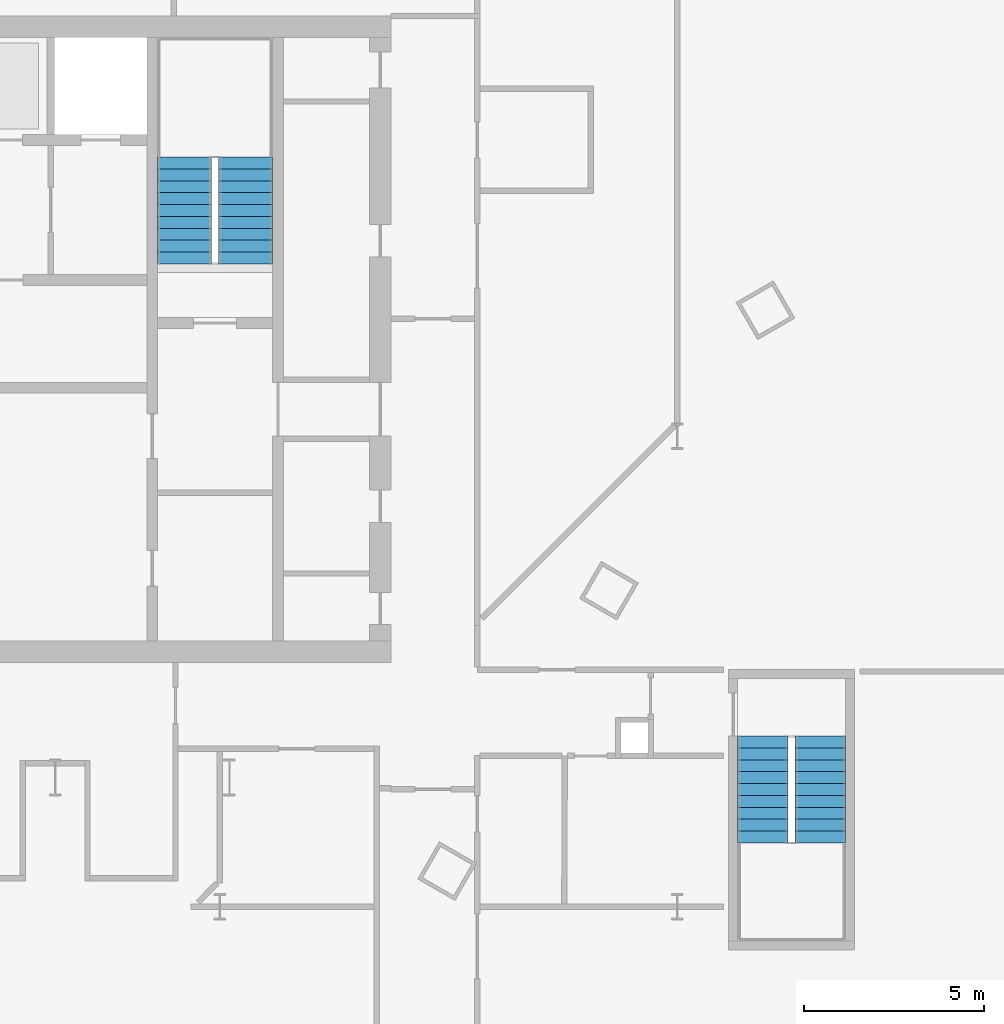
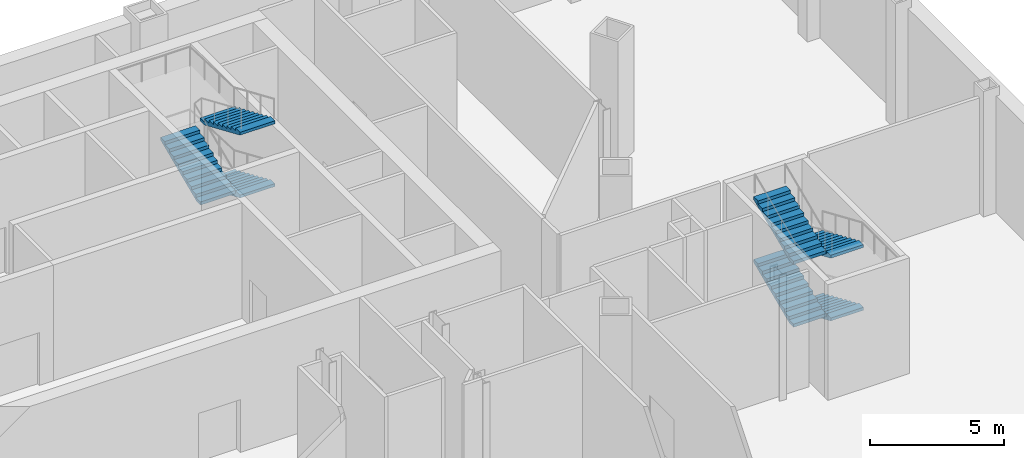
# One storey, part 15 of 18: 7 stair flights, 2 elements without a shape of their own.
"""IFC4 building model written with IfcOpenShell, lengths in metres."""

from ifc_helpers import new_model, si_unit, direction, frame, origin, place, context, subcontext, project, spatial, polygons, material, type_object, element, aggregate, save


model = new_model("IFC4")

# Units and contexts
model_context = context("Model", 3, precision=1e-05, world=origin(), true_north=direction((0.0, 1.0)))
body_context = subcontext(model_context, "Body", "Model", "MODEL_VIEW")
ifc_project = project(units=[si_unit("LENGTHUNIT", "METRE"), si_unit("AREAUNIT", "SQUARE_METRE"), si_unit("VOLUMEUNIT", "CUBIC_METRE"), si_unit("PLANEANGLEUNIT", "RADIAN"), si_unit("MASSUNIT", "GRAM", prefix="KILO")], contexts=[model_context])

# Site, building, storey
site_placement = place(None, origin())
site = spatial("IfcSite", under=ifc_project, at=site_placement, CompositionType="ELEMENT")
building_placement = place(site_placement, origin())
building = spatial("IfcBuilding", under=site, at=building_placement, Name="Njiva Tower", CompositionType="ELEMENT")
storey_placement = place(building_placement, frame((0.0, 0.0, -5.7)))
storey = spatial("IfcBuildingStorey", under=building, at=storey_placement, Name="B1", CompositionType="ELEMENT", Elevation=-5.7)

# Stair, stair flights
ifc_material = material(Name="Concrete C40/50", Category="concrete")
stair_type_1 = type_object("IfcStairType", Name="ST2 Exit stair 1400", PredefinedType="HALF_TURN_STAIR", material=ifc_material)
stair_1_placement = place(storey_placement, origin())
stair_1 = element("IfcStair", 1, at=stair_1_placement, inside=storey, type_object=stair_type_1, Name="Stair G basement", PredefinedType="DOUBLE_RETURN_STAIR")
stair_flight_type_1 = type_object("IfcStairFlightType", Name="FL2 Stair flight 1400", PredefinedType="STRAIGHT", material=ifc_material)
stair_flight_1_placement = place(storey_placement, frame((29.45, -2.05, 0.0), z_axis=(0.0, 0.0, 1.0), x_axis=(0.0, -1.0, 0.0)))
stair_flight_1 = element("IfcStairFlight", 2, at=stair_flight_1_placement, type_object=stair_flight_type_1, Name="ST-GB flight 1", NumberOfRisers=10, NumberOfTreads=9, PredefinedType="STRAIGHT", RiserHeight=0.1425, TreadLength=0.33, context=body_context, shape_type="Tessellation", body=[
    polygons([(0.0, 0.7, 0.0), (0.0, 0.35, 0.0), (0.0, 0.0, 0.0), (0.0, -0.35, 0.0), (0.0, -0.7, 0.0), (0.0, 0.7, 0.1425), (0.0, 0.35, 0.1425), (0.0, 0.0, 0.1425), (0.0, -0.35, 0.1425), (0.0, -0.7, 0.1425), (0.33, 0.7, 0.1425), (0.33, 0.35, 0.1425), (0.33, 0.0, 0.1425), (0.33, -0.35, 0.1425), (0.33, -0.7, 0.1425), (0.33, 0.7, 0.285), (0.33, 0.35, 0.285), (0.33, 0.0, 0.285), (0.33, -0.35, 0.285), (0.33, -0.7, 0.285), (0.66, 0.7, 0.285), (0.66, 0.35, 0.285), (0.66, 0.0, 0.285), (0.66, -0.35, 0.285), (0.66, -0.7, 0.285), (0.66, 0.7, 0.4275), (0.66, 0.35, 0.4275), (0.66, 0.0, 0.4275), (0.66, -0.35, 0.4275), (0.66, -0.7, 0.4275), (0.99, 0.7, 0.4275), (0.99, 0.35, 0.4275), (0.99, 0.0, 0.4275), (0.99, -0.35, 0.4275), (0.99, -0.7, 0.4275), (0.99, 0.7, 0.57), (0.99, 0.35, 0.57), (0.99, 0.0, 0.57), (0.99, -0.35, 0.57), (0.99, -0.7, 0.57), (1.32, 0.7, 0.57), (1.32, 0.35, 0.57), (1.32, 0.0, 0.57), (1.32, -0.35, 0.57), (1.32, -0.7, 0.57), (1.32, 0.7, 0.7125), (1.32, 0.35, 0.7125), (1.32, 0.0, 0.7125), (1.32, -0.35, 0.7125), (1.32, -0.7, 0.7125), (1.65, 0.7, 0.7125), (1.65, 0.35, 0.7125), (1.65, 0.0, 0.7125), (1.65, -0.35, 0.7125), (1.65, -0.7, 0.7125), (1.65, 0.7, 0.855), (1.65, 0.35, 0.855), (1.65, 0.0, 0.855), (1.65, -0.35, 0.855), (1.65, -0.7, 0.855), (1.98, 0.7, 0.855), (1.98, 0.35, 0.855), (1.98, 0.0, 0.855), (1.98, -0.35, 0.855), (1.98, -0.7, 0.855), (1.98, 0.7, 0.9975), (1.98, 0.35, 0.9975), (1.98, 0.0, 0.9975), (1.98, -0.35, 0.9975), (1.98, -0.7, 0.9975), (2.31, 0.7, 0.9975), (2.31, 0.35, 0.9975), (2.31, 0.0, 0.9975), (2.31, -0.35, 0.9975), (2.31, -0.7, 0.9975), (2.31, 0.7, 1.14), (2.31, 0.35, 1.14), (2.31, 0.0, 1.14), (2.31, -0.35, 1.14), (2.31, -0.7, 1.14), (2.64, 0.7, 1.14), (2.64, 0.35, 1.14), (2.64, 0.0, 1.14), (2.64, -0.35, 1.14), (2.64, -0.7, 1.14), (2.64, 0.7, 1.2825), (2.64, 0.35, 1.2825), (2.64, 0.0, 1.2825), (2.64, -0.35, 1.2825), (2.64, -0.7, 1.2825), (2.97, 0.7, 1.2825), (2.97, 0.35, 1.2825), (2.97, 0.0, 1.2825), (2.97, -0.35, 1.2825), (2.97, -0.7, 1.2825), (2.97, 0.7, 1.1518), (2.97, 0.35, 1.1518), (2.97, 0.0, 1.1518), (2.97, -0.35, 1.1518), (2.97, -0.7, 1.1518), (0.3027, 0.7, 0.0), (0.3027, 0.35, 0.0), (0.3027, 0.0, 0.0), (0.3027, -0.35, 0.0), (0.3027, -0.7, 0.0)], [[[1, 6, 11, 16, 21, 26, 31, 36, 41, 46, 51, 56, 61, 66, 71, 76, 81, 86, 91, 96, 101]], [[105, 100, 95, 90, 85, 80, 75, 70, 65, 60, 55, 50, 45, 40, 35, 30, 25, 20, 15, 10, 5]], [[6, 1, 2, 7]], [[7, 2, 3, 8]], [[8, 3, 4, 9]], [[9, 4, 5, 10]], [[11, 6, 7, 12]], [[12, 7, 8, 13]], [[13, 8, 9, 14]], [[14, 9, 10, 15]], [[16, 11, 12, 17]], [[17, 12, 13, 18]], [[18, 13, 14, 19]], [[19, 14, 15, 20]], [[21, 16, 17, 22]], [[22, 17, 18, 23]], [[23, 18, 19, 24]], [[24, 19, 20, 25]], [[26, 21, 22, 27]], [[27, 22, 23, 28]], [[28, 23, 24, 29]], [[29, 24, 25, 30]], [[31, 26, 27, 32]], [[32, 27, 28, 33]], [[33, 28, 29, 34]], [[34, 29, 30, 35]], [[36, 31, 32, 37]], [[37, 32, 33, 38]], [[38, 33, 34, 39]], [[39, 34, 35, 40]], [[41, 36, 37, 42]], [[42, 37, 38, 43]], [[43, 38, 39, 44]], [[44, 39, 40, 45]], [[46, 41, 42, 47]], [[47, 42, 43, 48]], [[48, 43, 44, 49]], [[49, 44, 45, 50]], [[51, 46, 47, 52]], [[52, 47, 48, 53]], [[53, 48, 49, 54]], [[54, 49, 50, 55]], [[56, 51, 52, 57]], [[57, 52, 53, 58]], [[58, 53, 54, 59]], [[59, 54, 55, 60]], [[61, 56, 57, 62]], [[62, 57, 58, 63]], [[63, 58, 59, 64]], [[64, 59, 60, 65]], [[66, 61, 62, 67]], [[67, 62, 63, 68]], [[68, 63, 64, 69]], [[69, 64, 65, 70]], [[71, 66, 67, 72]], [[72, 67, 68, 73]], [[73, 68, 69, 74]], [[74, 69, 70, 75]], [[76, 71, 72, 77]], [[77, 72, 73, 78]], [[78, 73, 74, 79]], [[79, 74, 75, 80]], [[81, 76, 77, 82]], [[82, 77, 78, 83]], [[83, 78, 79, 84]], [[84, 79, 80, 85]], [[86, 81, 82, 87]], [[87, 82, 83, 88]], [[88, 83, 84, 89]], [[89, 84, 85, 90]], [[91, 86, 87, 92]], [[92, 87, 88, 93]], [[93, 88, 89, 94]], [[94, 89, 90, 95]], [[96, 91, 92, 97]], [[97, 92, 93, 98]], [[98, 93, 94, 99]], [[99, 94, 95, 100]], [[101, 96, 97, 102]], [[102, 97, 98, 103]], [[103, 98, 99, 104]], [[104, 99, 100, 105]], [[1, 101, 102, 2]], [[2, 102, 103, 3]], [[3, 103, 104, 4]], [[4, 104, 105, 5]]], closed=True),
])
stair_flight_2_placement = place(storey_placement, frame((27.85, -5.02, 1.425), z_axis=(0.0, 0.0, 1.0), x_axis=(0.0, 1.0, 0.0)))
stair_flight_2 = element("IfcStairFlight", 3, at=stair_flight_2_placement, type_object=stair_flight_type_1, Name="ST-GB flight 2", NumberOfRisers=10, NumberOfTreads=9, PredefinedType="STRAIGHT", RiserHeight=0.1425, TreadLength=0.33, context=body_context, shape_type="Tessellation", body=[
    polygons([(0.0, 0.7, 0.0), (0.0, 0.35, 0.0), (0.0, 0.0, 0.0), (0.0, -0.35, 0.0), (0.0, -0.7, 0.0), (0.0, 0.7, 0.1425), (0.0, 0.35, 0.1425), (0.0, 0.0, 0.1425), (0.0, -0.35, 0.1425), (0.0, -0.7, 0.1425), (0.33, 0.7, 0.1425), (0.33, 0.35, 0.1425), (0.33, 0.0, 0.1425), (0.33, -0.35, 0.1425), (0.33, -0.7, 0.1425), (0.33, 0.7, 0.285), (0.33, 0.35, 0.285), (0.33, 0.0, 0.285), (0.33, -0.35, 0.285), (0.33, -0.7, 0.285), (0.66, 0.7, 0.285), (0.66, 0.35, 0.285), (0.66, 0.0, 0.285), (0.66, -0.35, 0.285), (0.66, -0.7, 0.285), (0.66, 0.7, 0.4275), (0.66, 0.35, 0.4275), (0.66, 0.0, 0.4275), (0.66, -0.35, 0.4275), (0.66, -0.7, 0.4275), (0.99, 0.7, 0.4275), (0.99, 0.35, 0.4275), (0.99, 0.0, 0.4275), (0.99, -0.35, 0.4275), (0.99, -0.7, 0.4275), (0.99, 0.7, 0.57), (0.99, 0.35, 0.57), (0.99, 0.0, 0.57), (0.99, -0.35, 0.57), (0.99, -0.7, 0.57), (1.32, 0.7, 0.57), (1.32, 0.35, 0.57), (1.32, 0.0, 0.57), (1.32, -0.35, 0.57), (1.32, -0.7, 0.57), (1.32, 0.7, 0.7125), (1.32, 0.35, 0.7125), (1.32, 0.0, 0.7125), (1.32, -0.35, 0.7125), (1.32, -0.7, 0.7125), (1.65, 0.7, 0.7125), (1.65, 0.35, 0.7125), (1.65, 0.0, 0.7125), (1.65, -0.35, 0.7125), (1.65, -0.7, 0.7125), (1.65, 0.7, 0.855), (1.65, 0.35, 0.855), (1.65, 0.0, 0.855), (1.65, -0.35, 0.855), (1.65, -0.7, 0.855), (1.98, 0.7, 0.855), (1.98, 0.35, 0.855), (1.98, 0.0, 0.855), (1.98, -0.35, 0.855), (1.98, -0.7, 0.855), (1.98, 0.7, 0.9975), (1.98, 0.35, 0.9975), (1.98, 0.0, 0.9975), (1.98, -0.35, 0.9975), (1.98, -0.7, 0.9975), (2.31, 0.7, 0.9975), (2.31, 0.35, 0.9975), (2.31, 0.0, 0.9975), (2.31, -0.35, 0.9975), (2.31, -0.7, 0.9975), (2.31, 0.7, 1.14), (2.31, 0.35, 1.14), (2.31, 0.0, 1.14), (2.31, -0.35, 1.14), (2.31, -0.7, 1.14), (2.64, 0.7, 1.14), (2.64, 0.35, 1.14), (2.64, 0.0, 1.14), (2.64, -0.35, 1.14), (2.64, -0.7, 1.14), (2.64, 0.7, 1.2825), (2.64, 0.35, 1.2825), (2.64, 0.0, 1.2825), (2.64, -0.35, 1.2825), (2.64, -0.7, 1.2825), (2.97, 0.7, 1.2825), (2.97, 0.35, 1.2825), (2.97, 0.0, 1.2825), (2.97, -0.35, 1.2825), (2.97, -0.7, 1.2825), (2.97, 0.7, 1.1518), (2.97, 0.35, 1.1518), (2.97, 0.0, 1.1518), (2.97, -0.35, 1.1518), (2.97, -0.7, 1.1518), (0.3027, 0.7, 0.0), (0.3027, 0.35, 0.0), (0.3027, 0.0, 0.0), (0.3027, -0.35, 0.0), (0.3027, -0.7, 0.0)], [[[1, 6, 11, 16, 21, 26, 31, 36, 41, 46, 51, 56, 61, 66, 71, 76, 81, 86, 91, 96, 101]], [[105, 100, 95, 90, 85, 80, 75, 70, 65, 60, 55, 50, 45, 40, 35, 30, 25, 20, 15, 10, 5]], [[6, 1, 2, 7]], [[7, 2, 3, 8]], [[8, 3, 4, 9]], [[9, 4, 5, 10]], [[11, 6, 7, 12]], [[12, 7, 8, 13]], [[13, 8, 9, 14]], [[14, 9, 10, 15]], [[16, 11, 12, 17]], [[17, 12, 13, 18]], [[18, 13, 14, 19]], [[19, 14, 15, 20]], [[21, 16, 17, 22]], [[22, 17, 18, 23]], [[23, 18, 19, 24]], [[24, 19, 20, 25]], [[26, 21, 22, 27]], [[27, 22, 23, 28]], [[28, 23, 24, 29]], [[29, 24, 25, 30]], [[31, 26, 27, 32]], [[32, 27, 28, 33]], [[33, 28, 29, 34]], [[34, 29, 30, 35]], [[36, 31, 32, 37]], [[37, 32, 33, 38]], [[38, 33, 34, 39]], [[39, 34, 35, 40]], [[41, 36, 37, 42]], [[42, 37, 38, 43]], [[43, 38, 39, 44]], [[44, 39, 40, 45]], [[46, 41, 42, 47]], [[47, 42, 43, 48]], [[48, 43, 44, 49]], [[49, 44, 45, 50]], [[51, 46, 47, 52]], [[52, 47, 48, 53]], [[53, 48, 49, 54]], [[54, 49, 50, 55]], [[56, 51, 52, 57]], [[57, 52, 53, 58]], [[58, 53, 54, 59]], [[59, 54, 55, 60]], [[61, 56, 57, 62]], [[62, 57, 58, 63]], [[63, 58, 59, 64]], [[64, 59, 60, 65]], [[66, 61, 62, 67]], [[67, 62, 63, 68]], [[68, 63, 64, 69]], [[69, 64, 65, 70]], [[71, 66, 67, 72]], [[72, 67, 68, 73]], [[73, 68, 69, 74]], [[74, 69, 70, 75]], [[76, 71, 72, 77]], [[77, 72, 73, 78]], [[78, 73, 74, 79]], [[79, 74, 75, 80]], [[81, 76, 77, 82]], [[82, 77, 78, 83]], [[83, 78, 79, 84]], [[84, 79, 80, 85]], [[86, 81, 82, 87]], [[87, 82, 83, 88]], [[88, 83, 84, 89]], [[89, 84, 85, 90]], [[91, 86, 87, 92]], [[92, 87, 88, 93]], [[93, 88, 89, 94]], [[94, 89, 90, 95]], [[96, 91, 92, 97]], [[97, 92, 93, 98]], [[98, 93, 94, 99]], [[99, 94, 95, 100]], [[101, 96, 97, 102]], [[102, 97, 98, 103]], [[103, 98, 99, 104]], [[104, 99, 100, 105]], [[1, 101, 102, 2]], [[2, 102, 103, 3]], [[3, 103, 104, 4]], [[4, 104, 105, 5]]], closed=True),
])
stair_flight_3_placement = place(storey_placement, frame((29.45, -2.05, 2.85), z_axis=(0.0, 0.0, 1.0), x_axis=(0.0, -1.0, 0.0)))
stair_flight_3 = element("IfcStairFlight", 4, at=stair_flight_3_placement, type_object=stair_flight_type_1, Name="ST-GB flight 3", NumberOfRisers=10, NumberOfTreads=9, PredefinedType="STRAIGHT", RiserHeight=0.1425, TreadLength=0.33, context=body_context, shape_type="Tessellation", body=[
    polygons([(0.0, 0.7, 0.0), (0.0, 0.35, 0.0), (0.0, 0.0, 0.0), (0.0, -0.35, 0.0), (0.0, -0.7, 0.0), (0.0, 0.7, 0.1425), (0.0, 0.35, 0.1425), (0.0, 0.0, 0.1425), (0.0, -0.35, 0.1425), (0.0, -0.7, 0.1425), (0.33, 0.7, 0.1425), (0.33, 0.35, 0.1425), (0.33, 0.0, 0.1425), (0.33, -0.35, 0.1425), (0.33, -0.7, 0.1425), (0.33, 0.7, 0.285), (0.33, 0.35, 0.285), (0.33, 0.0, 0.285), (0.33, -0.35, 0.285), (0.33, -0.7, 0.285), (0.66, 0.7, 0.285), (0.66, 0.35, 0.285), (0.66, 0.0, 0.285), (0.66, -0.35, 0.285), (0.66, -0.7, 0.285), (0.66, 0.7, 0.4275), (0.66, 0.35, 0.4275), (0.66, 0.0, 0.4275), (0.66, -0.35, 0.4275), (0.66, -0.7, 0.4275), (0.99, 0.7, 0.4275), (0.99, 0.35, 0.4275), (0.99, 0.0, 0.4275), (0.99, -0.35, 0.4275), (0.99, -0.7, 0.4275), (0.99, 0.7, 0.57), (0.99, 0.35, 0.57), (0.99, 0.0, 0.57), (0.99, -0.35, 0.57), (0.99, -0.7, 0.57), (1.32, 0.7, 0.57), (1.32, 0.35, 0.57), (1.32, 0.0, 0.57), (1.32, -0.35, 0.57), (1.32, -0.7, 0.57), (1.32, 0.7, 0.7125), (1.32, 0.35, 0.7125), (1.32, 0.0, 0.7125), (1.32, -0.35, 0.7125), (1.32, -0.7, 0.7125), (1.65, 0.7, 0.7125), (1.65, 0.35, 0.7125), (1.65, 0.0, 0.7125), (1.65, -0.35, 0.7125), (1.65, -0.7, 0.7125), (1.65, 0.7, 0.855), (1.65, 0.35, 0.855), (1.65, 0.0, 0.855), (1.65, -0.35, 0.855), (1.65, -0.7, 0.855), (1.98, 0.7, 0.855), (1.98, 0.35, 0.855), (1.98, 0.0, 0.855), (1.98, -0.35, 0.855), (1.98, -0.7, 0.855), (1.98, 0.7, 0.9975), (1.98, 0.35, 0.9975), (1.98, 0.0, 0.9975), (1.98, -0.35, 0.9975), (1.98, -0.7, 0.9975), (2.31, 0.7, 0.9975), (2.31, 0.35, 0.9975), (2.31, 0.0, 0.9975), (2.31, -0.35, 0.9975), (2.31, -0.7, 0.9975), (2.31, 0.7, 1.14), (2.31, 0.35, 1.14), (2.31, 0.0, 1.14), (2.31, -0.35, 1.14), (2.31, -0.7, 1.14), (2.64, 0.7, 1.14), (2.64, 0.35, 1.14), (2.64, 0.0, 1.14), (2.64, -0.35, 1.14), (2.64, -0.7, 1.14), (2.64, 0.7, 1.2825), (2.64, 0.35, 1.2825), (2.64, 0.0, 1.2825), (2.64, -0.35, 1.2825), (2.64, -0.7, 1.2825), (2.97, 0.7, 1.2825), (2.97, 0.35, 1.2825), (2.97, 0.0, 1.2825), (2.97, -0.35, 1.2825), (2.97, -0.7, 1.2825), (2.97, 0.7, 1.1518), (2.97, 0.35, 1.1518), (2.97, 0.0, 1.1518), (2.97, -0.35, 1.1518), (2.97, -0.7, 1.1518), (0.3027, 0.7, 0.0), (0.3027, 0.35, 0.0), (0.3027, 0.0, 0.0), (0.3027, -0.35, 0.0), (0.3027, -0.7, 0.0)], [[[1, 6, 11, 16, 21, 26, 31, 36, 41, 46, 51, 56, 61, 66, 71, 76, 81, 86, 91, 96, 101]], [[105, 100, 95, 90, 85, 80, 75, 70, 65, 60, 55, 50, 45, 40, 35, 30, 25, 20, 15, 10, 5]], [[6, 1, 2, 7]], [[7, 2, 3, 8]], [[8, 3, 4, 9]], [[9, 4, 5, 10]], [[11, 6, 7, 12]], [[12, 7, 8, 13]], [[13, 8, 9, 14]], [[14, 9, 10, 15]], [[16, 11, 12, 17]], [[17, 12, 13, 18]], [[18, 13, 14, 19]], [[19, 14, 15, 20]], [[21, 16, 17, 22]], [[22, 17, 18, 23]], [[23, 18, 19, 24]], [[24, 19, 20, 25]], [[26, 21, 22, 27]], [[27, 22, 23, 28]], [[28, 23, 24, 29]], [[29, 24, 25, 30]], [[31, 26, 27, 32]], [[32, 27, 28, 33]], [[33, 28, 29, 34]], [[34, 29, 30, 35]], [[36, 31, 32, 37]], [[37, 32, 33, 38]], [[38, 33, 34, 39]], [[39, 34, 35, 40]], [[41, 36, 37, 42]], [[42, 37, 38, 43]], [[43, 38, 39, 44]], [[44, 39, 40, 45]], [[46, 41, 42, 47]], [[47, 42, 43, 48]], [[48, 43, 44, 49]], [[49, 44, 45, 50]], [[51, 46, 47, 52]], [[52, 47, 48, 53]], [[53, 48, 49, 54]], [[54, 49, 50, 55]], [[56, 51, 52, 57]], [[57, 52, 53, 58]], [[58, 53, 54, 59]], [[59, 54, 55, 60]], [[61, 56, 57, 62]], [[62, 57, 58, 63]], [[63, 58, 59, 64]], [[64, 59, 60, 65]], [[66, 61, 62, 67]], [[67, 62, 63, 68]], [[68, 63, 64, 69]], [[69, 64, 65, 70]], [[71, 66, 67, 72]], [[72, 67, 68, 73]], [[73, 68, 69, 74]], [[74, 69, 70, 75]], [[76, 71, 72, 77]], [[77, 72, 73, 78]], [[78, 73, 74, 79]], [[79, 74, 75, 80]], [[81, 76, 77, 82]], [[82, 77, 78, 83]], [[83, 78, 79, 84]], [[84, 79, 80, 85]], [[86, 81, 82, 87]], [[87, 82, 83, 88]], [[88, 83, 84, 89]], [[89, 84, 85, 90]], [[91, 86, 87, 92]], [[92, 87, 88, 93]], [[93, 88, 89, 94]], [[94, 89, 90, 95]], [[96, 91, 92, 97]], [[97, 92, 93, 98]], [[98, 93, 94, 99]], [[99, 94, 95, 100]], [[101, 96, 97, 102]], [[102, 97, 98, 103]], [[103, 98, 99, 104]], [[104, 99, 100, 105]], [[1, 101, 102, 2]], [[2, 102, 103, 3]], [[3, 103, 104, 4]], [[4, 104, 105, 5]]], closed=True),
])
stair_flight_4_placement = place(storey_placement, frame((27.85, -5.02, 4.275), z_axis=(0.0, 0.0, 1.0), x_axis=(0.0, 1.0, 0.0)))
stair_flight_4 = element("IfcStairFlight", 5, at=stair_flight_4_placement, type_object=stair_flight_type_1, Name="ST-GB flight 4", NumberOfRisers=10, NumberOfTreads=9, PredefinedType="STRAIGHT", RiserHeight=0.1425, TreadLength=0.33, context=body_context, shape_type="Tessellation", body=[
    polygons([(0.0, 0.7, 0.0), (0.0, 0.35, 0.0), (0.0, 0.0, 0.0), (0.0, -0.35, 0.0), (0.0, -0.7, 0.0), (0.0, 0.7, 0.1425), (0.0, 0.35, 0.1425), (0.0, 0.0, 0.1425), (0.0, -0.35, 0.1425), (0.0, -0.7, 0.1425), (0.33, 0.7, 0.1425), (0.33, 0.35, 0.1425), (0.33, 0.0, 0.1425), (0.33, -0.35, 0.1425), (0.33, -0.7, 0.1425), (0.33, 0.7, 0.285), (0.33, 0.35, 0.285), (0.33, 0.0, 0.285), (0.33, -0.35, 0.285), (0.33, -0.7, 0.285), (0.66, 0.7, 0.285), (0.66, 0.35, 0.285), (0.66, 0.0, 0.285), (0.66, -0.35, 0.285), (0.66, -0.7, 0.285), (0.66, 0.7, 0.4275), (0.66, 0.35, 0.4275), (0.66, 0.0, 0.4275), (0.66, -0.35, 0.4275), (0.66, -0.7, 0.4275), (0.99, 0.7, 0.4275), (0.99, 0.35, 0.4275), (0.99, 0.0, 0.4275), (0.99, -0.35, 0.4275), (0.99, -0.7, 0.4275), (0.99, 0.7, 0.57), (0.99, 0.35, 0.57), (0.99, 0.0, 0.57), (0.99, -0.35, 0.57), (0.99, -0.7, 0.57), (1.32, 0.7, 0.57), (1.32, 0.35, 0.57), (1.32, 0.0, 0.57), (1.32, -0.35, 0.57), (1.32, -0.7, 0.57), (1.32, 0.7, 0.7125), (1.32, 0.35, 0.7125), (1.32, 0.0, 0.7125), (1.32, -0.35, 0.7125), (1.32, -0.7, 0.7125), (1.65, 0.7, 0.7125), (1.65, 0.35, 0.7125), (1.65, 0.0, 0.7125), (1.65, -0.35, 0.7125), (1.65, -0.7, 0.7125), (1.65, 0.7, 0.855), (1.65, 0.35, 0.855), (1.65, 0.0, 0.855), (1.65, -0.35, 0.855), (1.65, -0.7, 0.855), (1.98, 0.7, 0.855), (1.98, 0.35, 0.855), (1.98, 0.0, 0.855), (1.98, -0.35, 0.855), (1.98, -0.7, 0.855), (1.98, 0.7, 0.9975), (1.98, 0.35, 0.9975), (1.98, 0.0, 0.9975), (1.98, -0.35, 0.9975), (1.98, -0.7, 0.9975), (2.31, 0.7, 0.9975), (2.31, 0.35, 0.9975), (2.31, 0.0, 0.9975), (2.31, -0.35, 0.9975), (2.31, -0.7, 0.9975), (2.31, 0.7, 1.14), (2.31, 0.35, 1.14), (2.31, 0.0, 1.14), (2.31, -0.35, 1.14), (2.31, -0.7, 1.14), (2.64, 0.7, 1.14), (2.64, 0.35, 1.14), (2.64, 0.0, 1.14), (2.64, -0.35, 1.14), (2.64, -0.7, 1.14), (2.64, 0.7, 1.2825), (2.64, 0.35, 1.2825), (2.64, 0.0, 1.2825), (2.64, -0.35, 1.2825), (2.64, -0.7, 1.2825), (2.97, 0.7, 1.2825), (2.97, 0.35, 1.2825), (2.97, 0.0, 1.2825), (2.97, -0.35, 1.2825), (2.97, -0.7, 1.2825), (2.97, 0.7, 1.1518), (2.97, 0.35, 1.1518), (2.97, 0.0, 1.1518), (2.97, -0.35, 1.1518), (2.97, -0.7, 1.1518), (0.3027, 0.7, 0.0), (0.3027, 0.35, 0.0), (0.3027, 0.0, 0.0), (0.3027, -0.35, 0.0), (0.3027, -0.7, 0.0)], [[[1, 6, 11, 16, 21, 26, 31, 36, 41, 46, 51, 56, 61, 66, 71, 76, 81, 86, 91, 96, 101]], [[105, 100, 95, 90, 85, 80, 75, 70, 65, 60, 55, 50, 45, 40, 35, 30, 25, 20, 15, 10, 5]], [[6, 1, 2, 7]], [[7, 2, 3, 8]], [[8, 3, 4, 9]], [[9, 4, 5, 10]], [[11, 6, 7, 12]], [[12, 7, 8, 13]], [[13, 8, 9, 14]], [[14, 9, 10, 15]], [[16, 11, 12, 17]], [[17, 12, 13, 18]], [[18, 13, 14, 19]], [[19, 14, 15, 20]], [[21, 16, 17, 22]], [[22, 17, 18, 23]], [[23, 18, 19, 24]], [[24, 19, 20, 25]], [[26, 21, 22, 27]], [[27, 22, 23, 28]], [[28, 23, 24, 29]], [[29, 24, 25, 30]], [[31, 26, 27, 32]], [[32, 27, 28, 33]], [[33, 28, 29, 34]], [[34, 29, 30, 35]], [[36, 31, 32, 37]], [[37, 32, 33, 38]], [[38, 33, 34, 39]], [[39, 34, 35, 40]], [[41, 36, 37, 42]], [[42, 37, 38, 43]], [[43, 38, 39, 44]], [[44, 39, 40, 45]], [[46, 41, 42, 47]], [[47, 42, 43, 48]], [[48, 43, 44, 49]], [[49, 44, 45, 50]], [[51, 46, 47, 52]], [[52, 47, 48, 53]], [[53, 48, 49, 54]], [[54, 49, 50, 55]], [[56, 51, 52, 57]], [[57, 52, 53, 58]], [[58, 53, 54, 59]], [[59, 54, 55, 60]], [[61, 56, 57, 62]], [[62, 57, 58, 63]], [[63, 58, 59, 64]], [[64, 59, 60, 65]], [[66, 61, 62, 67]], [[67, 62, 63, 68]], [[68, 63, 64, 69]], [[69, 64, 65, 70]], [[71, 66, 67, 72]], [[72, 67, 68, 73]], [[73, 68, 69, 74]], [[74, 69, 70, 75]], [[76, 71, 72, 77]], [[77, 72, 73, 78]], [[78, 73, 74, 79]], [[79, 74, 75, 80]], [[81, 76, 77, 82]], [[82, 77, 78, 83]], [[83, 78, 79, 84]], [[84, 79, 80, 85]], [[86, 81, 82, 87]], [[87, 82, 83, 88]], [[88, 83, 84, 89]], [[89, 84, 85, 90]], [[91, 86, 87, 92]], [[92, 87, 88, 93]], [[93, 88, 89, 94]], [[94, 89, 90, 95]], [[96, 91, 92, 97]], [[97, 92, 93, 98]], [[98, 93, 94, 99]], [[99, 94, 95, 100]], [[101, 96, 97, 102]], [[102, 97, 98, 103]], [[103, 98, 99, 104]], [[104, 99, 100, 105]], [[1, 101, 102, 2]], [[2, 102, 103, 3]], [[3, 103, 104, 4]], [[4, 104, 105, 5]]], closed=True),
])
aggregate(stair_1, [stair_flight_1, stair_flight_2, stair_flight_3, stair_flight_4])

stair_type_2 = type_object("IfcStairType", Name="ST4 Exit stair 1500", PredefinedType="HALF_TURN_STAIR", material=ifc_material)
stair_2_placement = place(storey_placement, origin())
stair_2 = element("IfcStair", 6, at=stair_2_placement, inside=storey, type_object=stair_type_2, Name="Stair B basement", PredefinedType="DOUBLE_RETURN_STAIR")
stair_flight_type_2 = type_object("IfcStairFlightType", Name="FL4 Stair flight 1500", PredefinedType="STRAIGHT", material=ifc_material)
stair_flight_5_placement = place(storey_placement, frame((13.45, 14.07, 1.425), z_axis=(0.0, 0.0, 1.0), x_axis=(0.0, -1.0, 0.0)))
stair_flight_5 = element("IfcStairFlight", 7, at=stair_flight_5_placement, type_object=stair_flight_type_2, Name="ST-BB flight 2", NumberOfRisers=10, NumberOfTreads=9, PredefinedType="STRAIGHT", RiserHeight=0.1425, TreadLength=0.33, context=body_context, shape_type="Tessellation", body=[
    polygons([(0.0, 0.75, 0.0), (0.0, 0.375, 0.0), (0.0, 0.0, 0.0), (0.0, -0.375, 0.0), (0.0, -0.75, 0.0), (0.0, 0.75, 0.1425), (0.0, 0.375, 0.1425), (0.0, 0.0, 0.1425), (0.0, -0.375, 0.1425), (0.0, -0.75, 0.1425), (0.33, 0.75, 0.1425), (0.33, 0.375, 0.1425), (0.33, 0.0, 0.1425), (0.33, -0.375, 0.1425), (0.33, -0.75, 0.1425), (0.33, 0.75, 0.285), (0.33, 0.375, 0.285), (0.33, 0.0, 0.285), (0.33, -0.375, 0.285), (0.33, -0.75, 0.285), (0.66, 0.75, 0.285), (0.66, 0.375, 0.285), (0.66, 0.0, 0.285), (0.66, -0.375, 0.285), (0.66, -0.75, 0.285), (0.66, 0.75, 0.4275), (0.66, 0.375, 0.4275), (0.66, 0.0, 0.4275), (0.66, -0.375, 0.4275), (0.66, -0.75, 0.4275), (0.99, 0.75, 0.4275), (0.99, 0.375, 0.4275), (0.99, 0.0, 0.4275), (0.99, -0.375, 0.4275), (0.99, -0.75, 0.4275), (0.99, 0.75, 0.57), (0.99, 0.375, 0.57), (0.99, 0.0, 0.57), (0.99, -0.375, 0.57), (0.99, -0.75, 0.57), (1.32, 0.75, 0.57), (1.32, 0.375, 0.57), (1.32, 0.0, 0.57), (1.32, -0.375, 0.57), (1.32, -0.75, 0.57), (1.32, 0.75, 0.7125), (1.32, 0.375, 0.7125), (1.32, 0.0, 0.7125), (1.32, -0.375, 0.7125), (1.32, -0.75, 0.7125), (1.65, 0.75, 0.7125), (1.65, 0.375, 0.7125), (1.65, 0.0, 0.7125), (1.65, -0.375, 0.7125), (1.65, -0.75, 0.7125), (1.65, 0.75, 0.855), (1.65, 0.375, 0.855), (1.65, 0.0, 0.855), (1.65, -0.375, 0.855), (1.65, -0.75, 0.855), (1.98, 0.75, 0.855), (1.98, 0.375, 0.855), (1.98, 0.0, 0.855), (1.98, -0.375, 0.855), (1.98, -0.75, 0.855), (1.98, 0.75, 0.9975), (1.98, 0.375, 0.9975), (1.98, 0.0, 0.9975), (1.98, -0.375, 0.9975), (1.98, -0.75, 0.9975), (2.31, 0.75, 0.9975), (2.31, 0.375, 0.9975), (2.31, 0.0, 0.9975), (2.31, -0.375, 0.9975), (2.31, -0.75, 0.9975), (2.31, 0.75, 1.14), (2.31, 0.375, 1.14), (2.31, 0.0, 1.14), (2.31, -0.375, 1.14), (2.31, -0.75, 1.14), (2.64, 0.75, 1.14), (2.64, 0.375, 1.14), (2.64, 0.0, 1.14), (2.64, -0.375, 1.14), (2.64, -0.75, 1.14), (2.64, 0.75, 1.2825), (2.64, 0.375, 1.2825), (2.64, 0.0, 1.2825), (2.64, -0.375, 1.2825), (2.64, -0.75, 1.2825), (2.97, 0.75, 1.2825), (2.97, 0.375, 1.2825), (2.97, 0.0, 1.2825), (2.97, -0.375, 1.2825), (2.97, -0.75, 1.2825), (2.97, 0.75, 1.1518), (2.97, 0.375, 1.1518), (2.97, 0.0, 1.1518), (2.97, -0.375, 1.1518), (2.97, -0.75, 1.1518), (0.3027, 0.75, 0.0), (0.3027, 0.375, 0.0), (0.3027, 0.0, 0.0), (0.3027, -0.375, 0.0), (0.3027, -0.75, 0.0)], [[[1, 6, 11, 16, 21, 26, 31, 36, 41, 46, 51, 56, 61, 66, 71, 76, 81, 86, 91, 96, 101]], [[105, 100, 95, 90, 85, 80, 75, 70, 65, 60, 55, 50, 45, 40, 35, 30, 25, 20, 15, 10, 5]], [[6, 1, 2, 7]], [[7, 2, 3, 8]], [[8, 3, 4, 9]], [[9, 4, 5, 10]], [[11, 6, 7, 12]], [[12, 7, 8, 13]], [[13, 8, 9, 14]], [[14, 9, 10, 15]], [[16, 11, 12, 17]], [[17, 12, 13, 18]], [[18, 13, 14, 19]], [[19, 14, 15, 20]], [[21, 16, 17, 22]], [[22, 17, 18, 23]], [[23, 18, 19, 24]], [[24, 19, 20, 25]], [[26, 21, 22, 27]], [[27, 22, 23, 28]], [[28, 23, 24, 29]], [[29, 24, 25, 30]], [[31, 26, 27, 32]], [[32, 27, 28, 33]], [[33, 28, 29, 34]], [[34, 29, 30, 35]], [[36, 31, 32, 37]], [[37, 32, 33, 38]], [[38, 33, 34, 39]], [[39, 34, 35, 40]], [[41, 36, 37, 42]], [[42, 37, 38, 43]], [[43, 38, 39, 44]], [[44, 39, 40, 45]], [[46, 41, 42, 47]], [[47, 42, 43, 48]], [[48, 43, 44, 49]], [[49, 44, 45, 50]], [[51, 46, 47, 52]], [[52, 47, 48, 53]], [[53, 48, 49, 54]], [[54, 49, 50, 55]], [[56, 51, 52, 57]], [[57, 52, 53, 58]], [[58, 53, 54, 59]], [[59, 54, 55, 60]], [[61, 56, 57, 62]], [[62, 57, 58, 63]], [[63, 58, 59, 64]], [[64, 59, 60, 65]], [[66, 61, 62, 67]], [[67, 62, 63, 68]], [[68, 63, 64, 69]], [[69, 64, 65, 70]], [[71, 66, 67, 72]], [[72, 67, 68, 73]], [[73, 68, 69, 74]], [[74, 69, 70, 75]], [[76, 71, 72, 77]], [[77, 72, 73, 78]], [[78, 73, 74, 79]], [[79, 74, 75, 80]], [[81, 76, 77, 82]], [[82, 77, 78, 83]], [[83, 78, 79, 84]], [[84, 79, 80, 85]], [[86, 81, 82, 87]], [[87, 82, 83, 88]], [[88, 83, 84, 89]], [[89, 84, 85, 90]], [[91, 86, 87, 92]], [[92, 87, 88, 93]], [[93, 88, 89, 94]], [[94, 89, 90, 95]], [[96, 91, 92, 97]], [[97, 92, 93, 98]], [[98, 93, 94, 99]], [[99, 94, 95, 100]], [[101, 96, 97, 102]], [[102, 97, 98, 103]], [[103, 98, 99, 104]], [[104, 99, 100, 105]], [[1, 101, 102, 2]], [[2, 102, 103, 3]], [[3, 103, 104, 4]], [[4, 104, 105, 5]]], closed=True),
])
stair_flight_6_placement = place(storey_placement, frame((11.75, 11.1, 2.85), z_axis=(0.0, 0.0, 1.0), x_axis=(0.0, 1.0, 0.0)))
stair_flight_6 = element("IfcStairFlight", 8, at=stair_flight_6_placement, type_object=stair_flight_type_2, Name="ST-BB flight 3", NumberOfRisers=10, NumberOfTreads=9, PredefinedType="STRAIGHT", RiserHeight=0.1425, TreadLength=0.33, context=body_context, shape_type="Tessellation", body=[
    polygons([(0.0, 0.75, 0.0), (0.0, 0.375, 0.0), (0.0, 0.0, 0.0), (0.0, -0.375, 0.0), (0.0, -0.75, 0.0), (0.0, 0.75, 0.1425), (0.0, 0.375, 0.1425), (0.0, 0.0, 0.1425), (0.0, -0.375, 0.1425), (0.0, -0.75, 0.1425), (0.33, 0.75, 0.1425), (0.33, 0.375, 0.1425), (0.33, 0.0, 0.1425), (0.33, -0.375, 0.1425), (0.33, -0.75, 0.1425), (0.33, 0.75, 0.285), (0.33, 0.375, 0.285), (0.33, 0.0, 0.285), (0.33, -0.375, 0.285), (0.33, -0.75, 0.285), (0.66, 0.75, 0.285), (0.66, 0.375, 0.285), (0.66, 0.0, 0.285), (0.66, -0.375, 0.285), (0.66, -0.75, 0.285), (0.66, 0.75, 0.4275), (0.66, 0.375, 0.4275), (0.66, 0.0, 0.4275), (0.66, -0.375, 0.4275), (0.66, -0.75, 0.4275), (0.99, 0.75, 0.4275), (0.99, 0.375, 0.4275), (0.99, 0.0, 0.4275), (0.99, -0.375, 0.4275), (0.99, -0.75, 0.4275), (0.99, 0.75, 0.57), (0.99, 0.375, 0.57), (0.99, 0.0, 0.57), (0.99, -0.375, 0.57), (0.99, -0.75, 0.57), (1.32, 0.75, 0.57), (1.32, 0.375, 0.57), (1.32, 0.0, 0.57), (1.32, -0.375, 0.57), (1.32, -0.75, 0.57), (1.32, 0.75, 0.7125), (1.32, 0.375, 0.7125), (1.32, 0.0, 0.7125), (1.32, -0.375, 0.7125), (1.32, -0.75, 0.7125), (1.65, 0.75, 0.7125), (1.65, 0.375, 0.7125), (1.65, 0.0, 0.7125), (1.65, -0.375, 0.7125), (1.65, -0.75, 0.7125), (1.65, 0.75, 0.855), (1.65, 0.375, 0.855), (1.65, 0.0, 0.855), (1.65, -0.375, 0.855), (1.65, -0.75, 0.855), (1.98, 0.75, 0.855), (1.98, 0.375, 0.855), (1.98, 0.0, 0.855), (1.98, -0.375, 0.855), (1.98, -0.75, 0.855), (1.98, 0.75, 0.9975), (1.98, 0.375, 0.9975), (1.98, 0.0, 0.9975), (1.98, -0.375, 0.9975), (1.98, -0.75, 0.9975), (2.31, 0.75, 0.9975), (2.31, 0.375, 0.9975), (2.31, 0.0, 0.9975), (2.31, -0.375, 0.9975), (2.31, -0.75, 0.9975), (2.31, 0.75, 1.14), (2.31, 0.375, 1.14), (2.31, 0.0, 1.14), (2.31, -0.375, 1.14), (2.31, -0.75, 1.14), (2.64, 0.75, 1.14), (2.64, 0.375, 1.14), (2.64, 0.0, 1.14), (2.64, -0.375, 1.14), (2.64, -0.75, 1.14), (2.64, 0.75, 1.2825), (2.64, 0.375, 1.2825), (2.64, 0.0, 1.2825), (2.64, -0.375, 1.2825), (2.64, -0.75, 1.2825), (2.97, 0.75, 1.2825), (2.97, 0.375, 1.2825), (2.97, 0.0, 1.2825), (2.97, -0.375, 1.2825), (2.97, -0.75, 1.2825), (2.97, 0.75, 1.1518), (2.97, 0.375, 1.1518), (2.97, 0.0, 1.1518), (2.97, -0.375, 1.1518), (2.97, -0.75, 1.1518), (0.3027, 0.75, 0.0), (0.3027, 0.375, 0.0), (0.3027, 0.0, 0.0), (0.3027, -0.375, 0.0), (0.3027, -0.75, 0.0)], [[[1, 6, 11, 16, 21, 26, 31, 36, 41, 46, 51, 56, 61, 66, 71, 76, 81, 86, 91, 96, 101]], [[105, 100, 95, 90, 85, 80, 75, 70, 65, 60, 55, 50, 45, 40, 35, 30, 25, 20, 15, 10, 5]], [[6, 1, 2, 7]], [[7, 2, 3, 8]], [[8, 3, 4, 9]], [[9, 4, 5, 10]], [[11, 6, 7, 12]], [[12, 7, 8, 13]], [[13, 8, 9, 14]], [[14, 9, 10, 15]], [[16, 11, 12, 17]], [[17, 12, 13, 18]], [[18, 13, 14, 19]], [[19, 14, 15, 20]], [[21, 16, 17, 22]], [[22, 17, 18, 23]], [[23, 18, 19, 24]], [[24, 19, 20, 25]], [[26, 21, 22, 27]], [[27, 22, 23, 28]], [[28, 23, 24, 29]], [[29, 24, 25, 30]], [[31, 26, 27, 32]], [[32, 27, 28, 33]], [[33, 28, 29, 34]], [[34, 29, 30, 35]], [[36, 31, 32, 37]], [[37, 32, 33, 38]], [[38, 33, 34, 39]], [[39, 34, 35, 40]], [[41, 36, 37, 42]], [[42, 37, 38, 43]], [[43, 38, 39, 44]], [[44, 39, 40, 45]], [[46, 41, 42, 47]], [[47, 42, 43, 48]], [[48, 43, 44, 49]], [[49, 44, 45, 50]], [[51, 46, 47, 52]], [[52, 47, 48, 53]], [[53, 48, 49, 54]], [[54, 49, 50, 55]], [[56, 51, 52, 57]], [[57, 52, 53, 58]], [[58, 53, 54, 59]], [[59, 54, 55, 60]], [[61, 56, 57, 62]], [[62, 57, 58, 63]], [[63, 58, 59, 64]], [[64, 59, 60, 65]], [[66, 61, 62, 67]], [[67, 62, 63, 68]], [[68, 63, 64, 69]], [[69, 64, 65, 70]], [[71, 66, 67, 72]], [[72, 67, 68, 73]], [[73, 68, 69, 74]], [[74, 69, 70, 75]], [[76, 71, 72, 77]], [[77, 72, 73, 78]], [[78, 73, 74, 79]], [[79, 74, 75, 80]], [[81, 76, 77, 82]], [[82, 77, 78, 83]], [[83, 78, 79, 84]], [[84, 79, 80, 85]], [[86, 81, 82, 87]], [[87, 82, 83, 88]], [[88, 83, 84, 89]], [[89, 84, 85, 90]], [[91, 86, 87, 92]], [[92, 87, 88, 93]], [[93, 88, 89, 94]], [[94, 89, 90, 95]], [[96, 91, 92, 97]], [[97, 92, 93, 98]], [[98, 93, 94, 99]], [[99, 94, 95, 100]], [[101, 96, 97, 102]], [[102, 97, 98, 103]], [[103, 98, 99, 104]], [[104, 99, 100, 105]], [[1, 101, 102, 2]], [[2, 102, 103, 3]], [[3, 103, 104, 4]], [[4, 104, 105, 5]]], closed=True),
])
stair_flight_7_placement = place(storey_placement, frame((13.45, 14.07, 4.275), z_axis=(0.0, 0.0, 1.0), x_axis=(0.0, -1.0, 0.0)))
stair_flight_7 = element("IfcStairFlight", 9, at=stair_flight_7_placement, type_object=stair_flight_type_2, Name="ST-BB flight 4", NumberOfRisers=10, NumberOfTreads=9, PredefinedType="STRAIGHT", RiserHeight=0.1425, TreadLength=0.33, context=body_context, shape_type="Tessellation", body=[
    polygons([(0.0, 0.75, 0.0), (0.0, 0.375, 0.0), (0.0, 0.0, 0.0), (0.0, -0.375, 0.0), (0.0, -0.75, 0.0), (0.0, 0.75, 0.1425), (0.0, 0.375, 0.1425), (0.0, 0.0, 0.1425), (0.0, -0.375, 0.1425), (0.0, -0.75, 0.1425), (0.33, 0.75, 0.1425), (0.33, 0.375, 0.1425), (0.33, 0.0, 0.1425), (0.33, -0.375, 0.1425), (0.33, -0.75, 0.1425), (0.33, 0.75, 0.285), (0.33, 0.375, 0.285), (0.33, 0.0, 0.285), (0.33, -0.375, 0.285), (0.33, -0.75, 0.285), (0.66, 0.75, 0.285), (0.66, 0.375, 0.285), (0.66, 0.0, 0.285), (0.66, -0.375, 0.285), (0.66, -0.75, 0.285), (0.66, 0.75, 0.4275), (0.66, 0.375, 0.4275), (0.66, 0.0, 0.4275), (0.66, -0.375, 0.4275), (0.66, -0.75, 0.4275), (0.99, 0.75, 0.4275), (0.99, 0.375, 0.4275), (0.99, 0.0, 0.4275), (0.99, -0.375, 0.4275), (0.99, -0.75, 0.4275), (0.99, 0.75, 0.57), (0.99, 0.375, 0.57), (0.99, 0.0, 0.57), (0.99, -0.375, 0.57), (0.99, -0.75, 0.57), (1.32, 0.75, 0.57), (1.32, 0.375, 0.57), (1.32, 0.0, 0.57), (1.32, -0.375, 0.57), (1.32, -0.75, 0.57), (1.32, 0.75, 0.7125), (1.32, 0.375, 0.7125), (1.32, 0.0, 0.7125), (1.32, -0.375, 0.7125), (1.32, -0.75, 0.7125), (1.65, 0.75, 0.7125), (1.65, 0.375, 0.7125), (1.65, 0.0, 0.7125), (1.65, -0.375, 0.7125), (1.65, -0.75, 0.7125), (1.65, 0.75, 0.855), (1.65, 0.375, 0.855), (1.65, 0.0, 0.855), (1.65, -0.375, 0.855), (1.65, -0.75, 0.855), (1.98, 0.75, 0.855), (1.98, 0.375, 0.855), (1.98, 0.0, 0.855), (1.98, -0.375, 0.855), (1.98, -0.75, 0.855), (1.98, 0.75, 0.9975), (1.98, 0.375, 0.9975), (1.98, 0.0, 0.9975), (1.98, -0.375, 0.9975), (1.98, -0.75, 0.9975), (2.31, 0.75, 0.9975), (2.31, 0.375, 0.9975), (2.31, 0.0, 0.9975), (2.31, -0.375, 0.9975), (2.31, -0.75, 0.9975), (2.31, 0.75, 1.14), (2.31, 0.375, 1.14), (2.31, 0.0, 1.14), (2.31, -0.375, 1.14), (2.31, -0.75, 1.14), (2.64, 0.75, 1.14), (2.64, 0.375, 1.14), (2.64, 0.0, 1.14), (2.64, -0.375, 1.14), (2.64, -0.75, 1.14), (2.64, 0.75, 1.2825), (2.64, 0.375, 1.2825), (2.64, 0.0, 1.2825), (2.64, -0.375, 1.2825), (2.64, -0.75, 1.2825), (2.97, 0.75, 1.2825), (2.97, 0.375, 1.2825), (2.97, 0.0, 1.2825), (2.97, -0.375, 1.2825), (2.97, -0.75, 1.2825), (2.97, 0.75, 1.1518), (2.97, 0.375, 1.1518), (2.97, 0.0, 1.1518), (2.97, -0.375, 1.1518), (2.97, -0.75, 1.1518), (0.3027, 0.75, 0.0), (0.3027, 0.375, 0.0), (0.3027, 0.0, 0.0), (0.3027, -0.375, 0.0), (0.3027, -0.75, 0.0)], [[[1, 6, 11, 16, 21, 26, 31, 36, 41, 46, 51, 56, 61, 66, 71, 76, 81, 86, 91, 96, 101]], [[105, 100, 95, 90, 85, 80, 75, 70, 65, 60, 55, 50, 45, 40, 35, 30, 25, 20, 15, 10, 5]], [[6, 1, 2, 7]], [[7, 2, 3, 8]], [[8, 3, 4, 9]], [[9, 4, 5, 10]], [[11, 6, 7, 12]], [[12, 7, 8, 13]], [[13, 8, 9, 14]], [[14, 9, 10, 15]], [[16, 11, 12, 17]], [[17, 12, 13, 18]], [[18, 13, 14, 19]], [[19, 14, 15, 20]], [[21, 16, 17, 22]], [[22, 17, 18, 23]], [[23, 18, 19, 24]], [[24, 19, 20, 25]], [[26, 21, 22, 27]], [[27, 22, 23, 28]], [[28, 23, 24, 29]], [[29, 24, 25, 30]], [[31, 26, 27, 32]], [[32, 27, 28, 33]], [[33, 28, 29, 34]], [[34, 29, 30, 35]], [[36, 31, 32, 37]], [[37, 32, 33, 38]], [[38, 33, 34, 39]], [[39, 34, 35, 40]], [[41, 36, 37, 42]], [[42, 37, 38, 43]], [[43, 38, 39, 44]], [[44, 39, 40, 45]], [[46, 41, 42, 47]], [[47, 42, 43, 48]], [[48, 43, 44, 49]], [[49, 44, 45, 50]], [[51, 46, 47, 52]], [[52, 47, 48, 53]], [[53, 48, 49, 54]], [[54, 49, 50, 55]], [[56, 51, 52, 57]], [[57, 52, 53, 58]], [[58, 53, 54, 59]], [[59, 54, 55, 60]], [[61, 56, 57, 62]], [[62, 57, 58, 63]], [[63, 58, 59, 64]], [[64, 59, 60, 65]], [[66, 61, 62, 67]], [[67, 62, 63, 68]], [[68, 63, 64, 69]], [[69, 64, 65, 70]], [[71, 66, 67, 72]], [[72, 67, 68, 73]], [[73, 68, 69, 74]], [[74, 69, 70, 75]], [[76, 71, 72, 77]], [[77, 72, 73, 78]], [[78, 73, 74, 79]], [[79, 74, 75, 80]], [[81, 76, 77, 82]], [[82, 77, 78, 83]], [[83, 78, 79, 84]], [[84, 79, 80, 85]], [[86, 81, 82, 87]], [[87, 82, 83, 88]], [[88, 83, 84, 89]], [[89, 84, 85, 90]], [[91, 86, 87, 92]], [[92, 87, 88, 93]], [[93, 88, 89, 94]], [[94, 89, 90, 95]], [[96, 91, 92, 97]], [[97, 92, 93, 98]], [[98, 93, 94, 99]], [[99, 94, 95, 100]], [[101, 96, 97, 102]], [[102, 97, 98, 103]], [[103, 98, 99, 104]], [[104, 99, 100, 105]], [[1, 101, 102, 2]], [[2, 102, 103, 3]], [[3, 103, 104, 4]], [[4, 104, 105, 5]]], closed=True),
])
aggregate(stair_2, [stair_flight_5, stair_flight_6, stair_flight_7])

save(model, "model.ifc")
